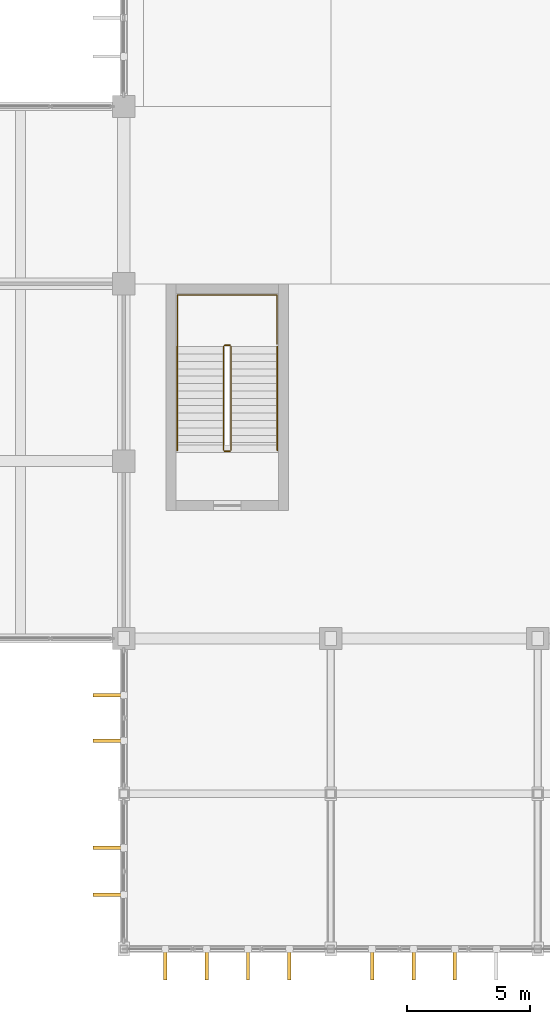
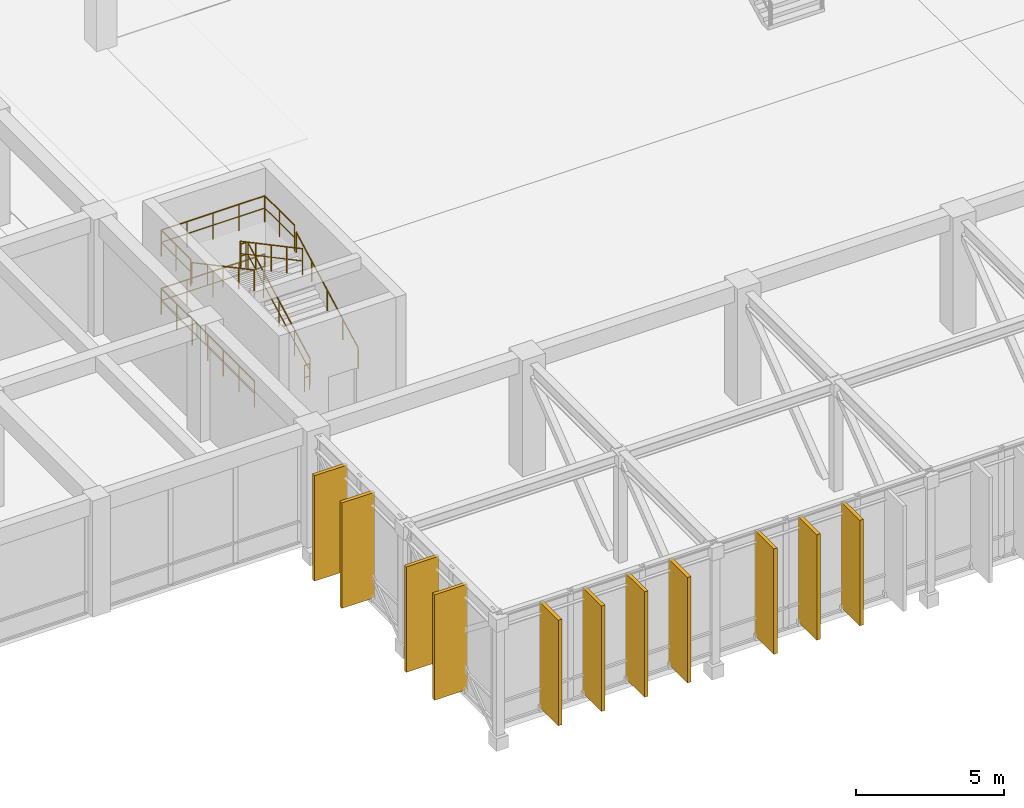
# One storey, part 41 of 51: 11 shading devices, 8 railings.
"""IFC4 building model written with IfcOpenShell, lengths in metres."""

from ifc_helpers import new_model, si_unit, direction, frame, origin, origin_2d, place, context, subcontext, project, spatial, rectangle, circle, extrude, material, type_object, element, save


model = new_model("IFC4")

# Units and contexts
model_context = context("Model", 3, precision=1e-05, world=origin(), true_north=direction((0.0, 1.0)))
body_context = subcontext(model_context, "Body", "Model", "MODEL_VIEW")
ifc_project = project(units=[si_unit("LENGTHUNIT", "METRE"), si_unit("AREAUNIT", "SQUARE_METRE"), si_unit("VOLUMEUNIT", "CUBIC_METRE"), si_unit("PLANEANGLEUNIT", "RADIAN"), si_unit("MASSUNIT", "GRAM", prefix="KILO")], contexts=[model_context])

# Site, building, storey
site_placement = place(None, origin())
site = spatial("IfcSite", under=ifc_project, at=site_placement, CompositionType="ELEMENT")
building_placement = place(site_placement, origin())
building = spatial("IfcBuilding", under=site, at=building_placement, Name="Kenerak Square Central Library", CompositionType="ELEMENT")
storey_placement = place(building_placement, frame((0.0, 0.0, 9.60009765625)))
storey = spatial("IfcBuildingStorey", under=building, at=storey_placement, Name="L02", CompositionType="ELEMENT", Elevation=9.60009765625)

# Shading devices
ifc_material_1 = material(Name="White precast concrete C40/50", Category="concrete")
shading_device_type = type_object("IfcShadingDeviceType", Name="Precast Vertical Solar Fin SF-1280 C40/50", PredefinedType="USERDEFINED", material=ifc_material_1)
for number, where, z_axis, x_axis, name in (
    (1, (71.840087890625, 3.580078125, 0.099853515625), (0.0, 0.0, 1.0), (-1.0, 0.0, 0.0), "Precast Solar Fin FIN-01 L02 0199"),
    (2, (70.159912109375, 3.580078125, 0.099853515625), (0.0, 0.0, 1.0), (-1.0, 0.0, 0.0), "Precast Solar Fin FIN-01 L02 0200"),
    (3, (68.47998046875, 3.580078125, 0.099853515625), (0.0, 0.0, 1.0), (-1.0, 0.0, 0.0), "Precast Solar Fin FIN-01 L02 0201"),
    (4, (65.1201171875, 3.580078125, 0.099853515625), (0.0, 0.0, 1.0), (-1.0, 0.0, 0.0), "Precast Solar Fin FIN-01 L02 0202"),
    (5, (63.43994140625, 3.580078125, 0.099853515625), (0.0, 0.0, 1.0), (-1.0, 0.0, 0.0), "Precast Solar Fin FIN-01 L02 0203"),
    (6, (61.760009765625, 3.580078125, 0.099853515625), (0.0, 0.0, 1.0), (-1.0, 0.0, 0.0), "Precast Solar Fin FIN-01 L02 0204"),
    (7, (60.080078125, 3.580078125, 0.099853515625), (0.0, 0.0, 1.0), (-1.0, 0.0, 0.0), "Precast Solar Fin FIN-01 L02 0205"),
    (8, (57.780029296875, 6.39990234375, 0.099853515625), (0.0, 0.0, 1.0), (0.0, 1.0, 0.0), "Precast Solar Fin FIN-01 L02 0206"),
    (9, (57.780029296875, 8.300048828125, 0.099853515625), (0.0, 0.0, 1.0), (0.0, 1.0, 0.0), "Precast Solar Fin FIN-01 L02 0207"),
    (10, (57.780029296875, 12.64990234375, 0.099853515625), (0.0, 0.0, 1.0), (0.0, 1.0, 0.0), "Precast Solar Fin FIN-01 L02 0208"),
    (11, (57.780029296875, 14.5, 0.099853515625), (0.0, 0.0, 1.0), (0.0, 1.0, 0.0), "Precast Solar Fin FIN-01 L02 0209"),
):
    element("IfcShadingDevice", number, at=place(storey_placement, frame(where, z_axis=z_axis, x_axis=x_axis)), inside=storey, type_object=shading_device_type, Name=name, ObjectType="FIN", PredefinedType="USERDEFINED", context=body_context, shape_type="SweptSolid", body=[
        extrude(rectangle(XDim=0.139892578125, YDim=1.280029296875, at=origin_2d()), origin(), (0.0, 0.0, 1.0), 4.35009765625),
    ])

# Railings
ifc_material_2 = material(Name="Steel S355", Category="steel")
railing_type_1 = type_object("IfcRailingType", Name="Safety Guardrail GR-1100 S355", PredefinedType="GUARDRAIL", material=ifc_material_2)
railing_1_placement = place(storey_placement, frame((62.75, 24.449951171875, 0.159912109375)))
element("IfcRailing", 12, at=railing_1_placement, inside=storey, type_object=railing_type_1, Name="L02 ST-04 stair guard 1", PredefinedType="GUARDRAIL", context=body_context, shape_type="SweptSolid", body=[
    extrude(circle(Radius=0.02392578125, at=origin_2d()), frame((0.0, 0.0, 1.076171875), z_axis=(0.0, 0.882351521365, 0.470590897432), x_axis=(-1.0, 0.0, 0.0)), (0.0, 0.0, 1.0), 4.760009765625),
    extrude(circle(Radius=0.01806640625, at=origin_2d()), frame((0.0, 0.0, 0.572021484375), z_axis=(0.0, 0.882351521365, 0.470590897432), x_axis=(-1.0, 0.0, 0.0)), (0.0, 0.0, 1.0), 4.760009765625),
    extrude(circle(Radius=0.02099609375, at=origin_2d()), origin(), (0.0, 0.0, 1.0), 1.052001953125),
    extrude(circle(Radius=0.02099609375, at=origin_2d()), frame((0.0, 1.050048828125, 0.56005859375)), (0.0, 0.0, 1.0), 1.052001953125),
    extrude(circle(Radius=0.02099609375, at=origin_2d()), frame((0.0, 2.10009765625, 1.1201171875)), (0.0, 0.0, 1.0), 1.052001953125),
    extrude(circle(Radius=0.02099609375, at=origin_2d()), frame((0.0, 3.14990234375, 1.679931640625)), (0.0, 0.0, 1.0), 1.052001953125),
    extrude(circle(Radius=0.02099609375, at=origin_2d()), frame((0.0, 4.199951171875, 2.239990234375)), (0.0, 0.0, 1.0), 1.052001953125),
])
railing_2_placement = place(storey_placement, frame((62.699951171875, 28.699951171875, 2.39990234375)))
element("IfcRailing", 13, at=railing_2_placement, inside=storey, type_object=railing_type_1, Name="L02 ST-04 stair guard 2", PredefinedType="GUARDRAIL", context=body_context, shape_type="SweptSolid", body=[
    extrude(circle(Radius=0.02392578125, at=origin_2d()), frame((0.0, 0.0, 1.076171875), z_axis=(-1.0, 0.0, 0.0), x_axis=(0.0, -1.0, 0.0)), (0.0, 0.0, 1.0), 0.199951171875),
    extrude(circle(Radius=0.01806640625, at=origin_2d()), frame((0.0, 0.0, 0.572021484375), z_axis=(-1.0, 0.0, 0.0), x_axis=(0.0, -1.0, 0.0)), (0.0, 0.0, 1.0), 0.199951171875),
    extrude(circle(Radius=0.02099609375, at=origin_2d()), origin(), (0.0, 0.0, 1.0), 1.052001953125),
    extrude(circle(Radius=0.02099609375, at=origin_2d()), frame((-0.199951171875, 0.0, 0.0)), (0.0, 0.0, 1.0), 1.052001953125),
])
railing_3_placement = place(storey_placement, frame((62.449951171875, 28.64990234375, 2.559814453125)))
element("IfcRailing", 14, at=railing_3_placement, inside=storey, type_object=railing_type_1, Name="L02 ST-04 stair guard 3", PredefinedType="GUARDRAIL", context=body_context, shape_type="SweptSolid", body=[
    extrude(circle(Radius=0.02392578125, at=origin_2d()), frame((0.0, 0.0, 1.076171875), z_axis=(0.0, -0.882351521365, 0.470590897432), x_axis=(1.0, 0.0, 0.0)), (0.0, 0.0, 1.0), 4.760009765625),
    extrude(circle(Radius=0.01806640625, at=origin_2d()), frame((0.0, 0.0, 0.572021484375), z_axis=(0.0, -0.882351521365, 0.470590897432), x_axis=(1.0, 0.0, 0.0)), (0.0, 0.0, 1.0), 4.760009765625),
    extrude(circle(Radius=0.02099609375, at=origin_2d()), origin(), (0.0, 0.0, 1.0), 1.052001953125),
    extrude(circle(Radius=0.02099609375, at=origin_2d()), frame((0.0, -1.050048828125, 0.56005859375)), (0.0, 0.0, 1.0), 1.052001953125),
    extrude(circle(Radius=0.02099609375, at=origin_2d()), frame((0.0, -2.10009765625, 1.1201171875)), (0.0, 0.0, 1.0), 1.052001953125),
    extrude(circle(Radius=0.02099609375, at=origin_2d()), frame((0.0, -3.14990234375, 1.679931640625)), (0.0, 0.0, 1.0), 1.052001953125),
    extrude(circle(Radius=0.02099609375, at=origin_2d()), frame((0.0, -4.199951171875, 2.239990234375)), (0.0, 0.0, 1.0), 1.052001953125),
])
railing_4_placement = place(storey_placement, frame((62.699951171875, 24.39990234375, 0.0)))
element("IfcRailing", 15, at=railing_4_placement, inside=storey, type_object=railing_type_1, Name="L02 ST-04 stair guard 4", PredefinedType="GUARDRAIL", context=body_context, shape_type="SweptSolid", body=[
    extrude(circle(Radius=0.02392578125, at=origin_2d()), frame((0.0, 0.0, 1.076171875), z_axis=(-1.0, 0.0, 0.0), x_axis=(0.0, -1.0, 0.0)), (0.0, 0.0, 1.0), 0.199951171875),
    extrude(circle(Radius=0.01806640625, at=origin_2d()), frame((0.0, 0.0, 0.572021484375), z_axis=(-1.0, 0.0, 0.0), x_axis=(0.0, -1.0, 0.0)), (0.0, 0.0, 1.0), 0.199951171875),
    extrude(circle(Radius=0.02099609375, at=origin_2d()), origin(), (0.0, 0.0, 1.0), 1.052001953125),
    extrude(circle(Radius=0.02099609375, at=origin_2d()), frame((-0.199951171875, 0.0, 0.0)), (0.0, 0.0, 1.0), 1.052001953125),
])
railing_5_placement = place(storey_placement, frame((60.580078125, 28.75, 2.39990234375)))
element("IfcRailing", 16, at=railing_5_placement, inside=storey, type_object=railing_type_1, Name="Stair Half-Landing Guard ST-04 L02", PredefinedType="GUARDRAIL", context=body_context, shape_type="SweptSolid", body=[
    extrude(circle(Radius=0.02392578125, at=origin_2d()), frame((0.0, 0.0, 1.076171875), z_axis=(0.0, 1.0, 0.0), x_axis=(-1.0, 0.0, 0.0)), (0.0, 0.0, 1.0), 2.0),
    extrude(circle(Radius=0.01806640625, at=origin_2d()), frame((0.0, 0.0, 0.572021484375), z_axis=(0.0, 1.0, 0.0), x_axis=(-1.0, 0.0, 0.0)), (0.0, 0.0, 1.0), 2.0),
    extrude(circle(Radius=0.02392578125, at=origin_2d()), frame((0.0, 2.0, 1.076171875), z_axis=(1.0, 0.0, 0.0), x_axis=(0.0, 1.0, 0.0)), (0.0, 0.0, 1.0), 4.0400390625),
    extrude(circle(Radius=0.01806640625, at=origin_2d()), frame((0.0, 2.0, 0.572021484375), z_axis=(1.0, 0.0, 0.0), x_axis=(0.0, 1.0, 0.0)), (0.0, 0.0, 1.0), 4.0400390625),
    extrude(circle(Radius=0.02392578125, at=origin_2d()), frame((4.0400390625, 2.0, 1.076171875), z_axis=(0.0, -1.0, 0.0), x_axis=(1.0, 0.0, 0.0)), (0.0, 0.0, 1.0), 2.0),
    extrude(circle(Radius=0.01806640625, at=origin_2d()), frame((4.0400390625, 2.0, 0.572021484375), z_axis=(0.0, -1.0, 0.0), x_axis=(1.0, 0.0, 0.0)), (0.0, 0.0, 1.0), 2.0),
    extrude(circle(Radius=0.02099609375, at=origin_2d()), origin(), (0.0, 0.0, 1.0), 1.052001953125),
    extrude(circle(Radius=0.02099609375, at=origin_2d()), frame((0.0, 1.0, 0.0)), (0.0, 0.0, 1.0), 1.052001953125),
    extrude(circle(Radius=0.02099609375, at=origin_2d()), frame((0.0, 2.0, 0.0)), (0.0, 0.0, 1.0), 1.052001953125),
    extrude(circle(Radius=0.02099609375, at=origin_2d()), frame((1.010009765625, 2.0, 0.0)), (0.0, 0.0, 1.0), 1.052001953125),
    extrude(circle(Radius=0.02099609375, at=origin_2d()), frame((2.02001953125, 2.0, 0.0)), (0.0, 0.0, 1.0), 1.052001953125),
    extrude(circle(Radius=0.02099609375, at=origin_2d()), frame((3.030029296875, 2.0, 0.0)), (0.0, 0.0, 1.0), 1.052001953125),
    extrude(circle(Radius=0.02099609375, at=origin_2d()), frame((4.0400390625, 2.0, 0.0)), (0.0, 0.0, 1.0), 1.052001953125),
    extrude(circle(Radius=0.02099609375, at=origin_2d()), frame((4.0400390625, 1.0, 0.0)), (0.0, 0.0, 1.0), 1.052001953125),
    extrude(circle(Radius=0.02099609375, at=origin_2d()), frame((4.0400390625, 0.0, 0.0)), (0.0, 0.0, 1.0), 1.052001953125),
])
railing_6_placement = place(storey_placement, frame((60.580078125, 24.449951171875, 0.0)))
element("IfcRailing", 17, at=railing_6_placement, inside=storey, type_object=railing_type_1, Name="Stair Well Floor Guard ST-04 L02", PredefinedType="GUARDRAIL", context=body_context, shape_type="SweptSolid", body=[
    extrude(circle(Radius=0.02392578125, at=origin_2d()), frame((0.0, 0.0, 1.076171875), z_axis=(0.0, 1.0, 0.0), x_axis=(-1.0, 0.0, 0.0)), (0.0, 0.0, 1.0), 6.300048828125),
    extrude(circle(Radius=0.01806640625, at=origin_2d()), frame((0.0, 0.0, 0.572021484375), z_axis=(0.0, 1.0, 0.0), x_axis=(-1.0, 0.0, 0.0)), (0.0, 0.0, 1.0), 6.300048828125),
    extrude(circle(Radius=0.02392578125, at=origin_2d()), frame((0.0, 6.300048828125, 1.076171875), z_axis=(1.0, 0.0, 0.0), x_axis=(0.0, 1.0, 0.0)), (0.0, 0.0, 1.0), 4.0400390625),
    extrude(circle(Radius=0.01806640625, at=origin_2d()), frame((0.0, 6.300048828125, 0.572021484375), z_axis=(1.0, 0.0, 0.0), x_axis=(0.0, 1.0, 0.0)), (0.0, 0.0, 1.0), 4.0400390625),
    extrude(circle(Radius=0.02099609375, at=origin_2d()), origin(), (0.0, 0.0, 1.0), 1.052001953125),
    extrude(circle(Radius=0.02099609375, at=origin_2d()), frame((0.0, 1.050048828125, 0.0)), (0.0, 0.0, 1.0), 1.052001953125),
    extrude(circle(Radius=0.02099609375, at=origin_2d()), frame((0.0, 2.10009765625, 0.0)), (0.0, 0.0, 1.0), 1.052001953125),
    extrude(circle(Radius=0.02099609375, at=origin_2d()), frame((0.0, 3.14990234375, 0.0)), (0.0, 0.0, 1.0), 1.052001953125),
    extrude(circle(Radius=0.02099609375, at=origin_2d()), frame((0.0, 4.199951171875, 0.0)), (0.0, 0.0, 1.0), 1.052001953125),
    extrude(circle(Radius=0.02099609375, at=origin_2d()), frame((0.0, 5.25, 0.0)), (0.0, 0.0, 1.0), 1.052001953125),
    extrude(circle(Radius=0.02099609375, at=origin_2d()), frame((0.0, 6.300048828125, 0.0)), (0.0, 0.0, 1.0), 1.052001953125),
    extrude(circle(Radius=0.02099609375, at=origin_2d()), frame((1.010009765625, 6.300048828125, 0.0)), (0.0, 0.0, 1.0), 1.052001953125),
    extrude(circle(Radius=0.02099609375, at=origin_2d()), frame((2.02001953125, 6.300048828125, 0.0)), (0.0, 0.0, 1.0), 1.052001953125),
    extrude(circle(Radius=0.02099609375, at=origin_2d()), frame((3.030029296875, 6.300048828125, 0.0)), (0.0, 0.0, 1.0), 1.052001953125),
    extrude(circle(Radius=0.02099609375, at=origin_2d()), frame((4.0400390625, 6.300048828125, 0.0)), (0.0, 0.0, 1.0), 1.052001953125),
])
railing_type_2 = type_object("IfcRailingType", Name="Stair Handrail HR-880 S355", PredefinedType="HANDRAIL", material=ifc_material_2)
railing_7_placement = place(storey_placement, frame((64.6298828125, 24.449951171875, 0.159912109375)))
element("IfcRailing", 18, at=railing_7_placement, inside=storey, type_object=railing_type_2, Name="L02 ST-04 stair handrail 1", PredefinedType="HANDRAIL", context=body_context, shape_type="SweptSolid", body=[
    extrude(circle(Radius=0.02392578125, at=origin_2d()), frame((0.0, 0.0, 0.85595703125), z_axis=(0.0, 0.882351521365, 0.470590897432), x_axis=(-1.0, 0.0, 0.0)), (0.0, 0.0, 1.0), 4.760009765625),
    extrude(circle(Radius=0.02099609375, at=origin_2d()), origin(), (0.0, 0.0, 1.0), 0.831787109375),
    extrude(circle(Radius=0.02099609375, at=origin_2d()), frame((0.0, 1.050048828125, 0.56005859375)), (0.0, 0.0, 1.0), 0.831787109375),
    extrude(circle(Radius=0.02099609375, at=origin_2d()), frame((0.0, 2.10009765625, 1.1201171875)), (0.0, 0.0, 1.0), 0.831787109375),
    extrude(circle(Radius=0.02099609375, at=origin_2d()), frame((0.0, 3.14990234375, 1.679931640625)), (0.0, 0.0, 1.0), 0.831787109375),
    extrude(circle(Radius=0.02099609375, at=origin_2d()), frame((0.0, 4.199951171875, 2.239990234375)), (0.0, 0.0, 1.0), 0.831787109375),
])
railing_8_placement = place(storey_placement, frame((60.570068359375, 28.64990234375, 2.559814453125)))
element("IfcRailing", 19, at=railing_8_placement, inside=storey, type_object=railing_type_2, Name="L02 ST-04 stair handrail 2", PredefinedType="HANDRAIL", context=body_context, shape_type="SweptSolid", body=[
    extrude(circle(Radius=0.02392578125, at=origin_2d()), frame((0.0, 0.0, 0.85595703125), z_axis=(0.0, -0.882351521365, 0.470590897432), x_axis=(1.0, 0.0, 0.0)), (0.0, 0.0, 1.0), 4.760009765625),
    extrude(circle(Radius=0.02099609375, at=origin_2d()), origin(), (0.0, 0.0, 1.0), 0.831787109375),
    extrude(circle(Radius=0.02099609375, at=origin_2d()), frame((0.0, -1.050048828125, 0.56005859375)), (0.0, 0.0, 1.0), 0.831787109375),
    extrude(circle(Radius=0.02099609375, at=origin_2d()), frame((0.0, -2.10009765625, 1.1201171875)), (0.0, 0.0, 1.0), 0.831787109375),
    extrude(circle(Radius=0.02099609375, at=origin_2d()), frame((0.0, -3.14990234375, 1.679931640625)), (0.0, 0.0, 1.0), 0.831787109375),
    extrude(circle(Radius=0.02099609375, at=origin_2d()), frame((0.0, -4.199951171875, 2.239990234375)), (0.0, 0.0, 1.0), 0.831787109375),
])

save(model, "model.ifc")
